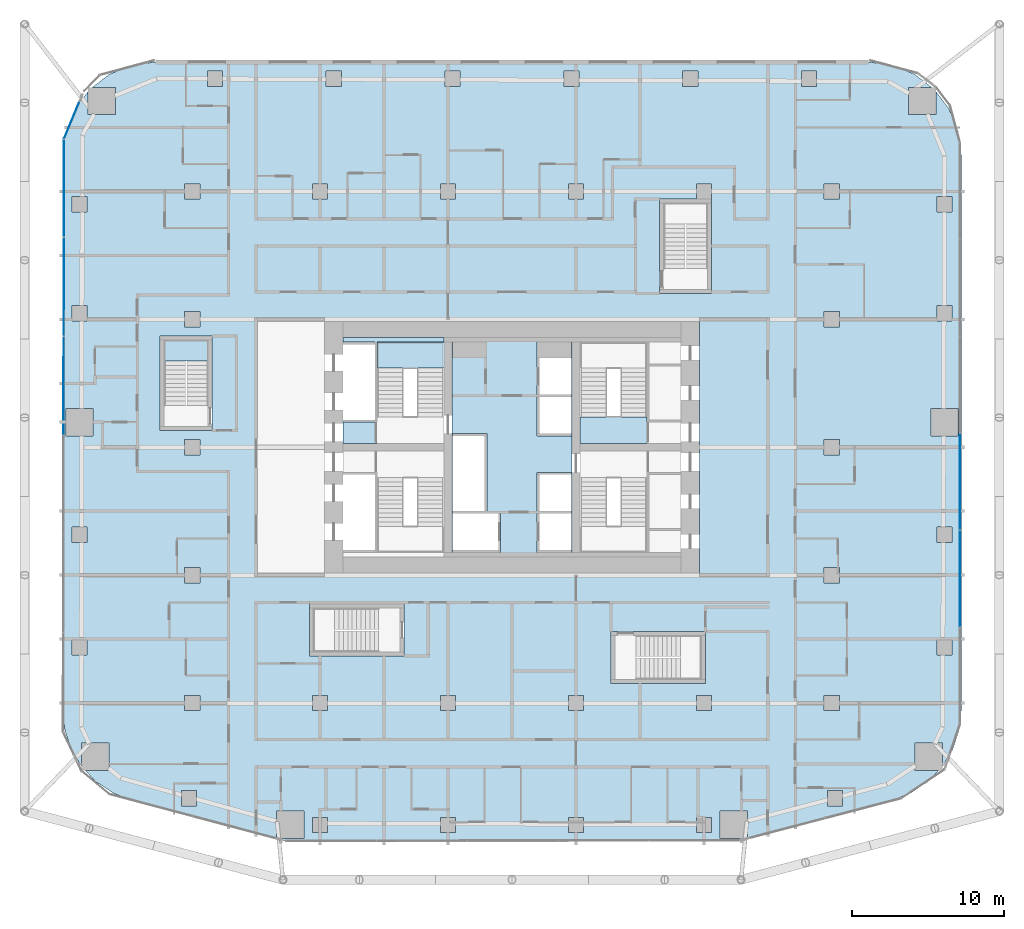
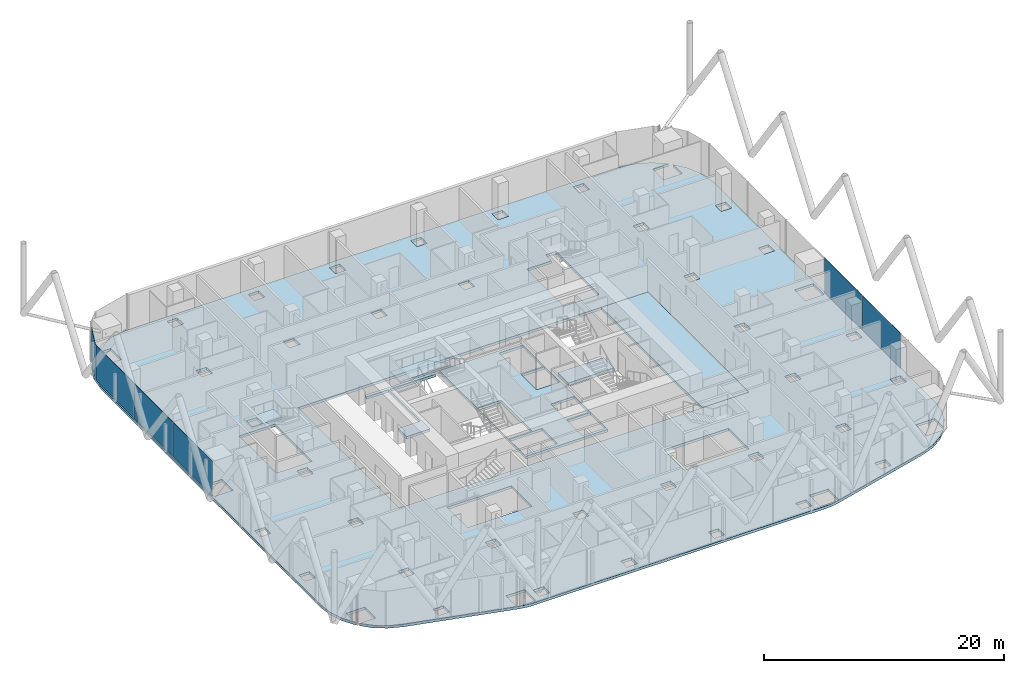
# One storey, part 21 of 35: 7 slabs, 6 plates, 5 elements without a shape of their own.
"""IFC4 building model written with IfcOpenShell, lengths in metres."""

from ifc_helpers import new_model, si_unit, direction, frame, origin, origin_2d, place, context, subcontext, project, spatial, polyline, rectangle, outline, extrude, material, layer, layer_set, type_object, element, aggregate, save


model = new_model("IFC4")

# Units and contexts
model_context = context("Model", 3, precision=1e-05, world=origin(), true_north=direction((0.0, 1.0)))
body_context = subcontext(model_context, "Body", "Model", "MODEL_VIEW")
ifc_project = project(units=[si_unit("LENGTHUNIT", "METRE"), si_unit("AREAUNIT", "SQUARE_METRE"), si_unit("VOLUMEUNIT", "CUBIC_METRE"), si_unit("PLANEANGLEUNIT", "RADIAN"), si_unit("MASSUNIT", "GRAM", prefix="KILO")], contexts=[model_context])

# Site, building, storey
site_placement = place(None, origin())
site = spatial("IfcSite", under=ifc_project, at=site_placement, CompositionType="ELEMENT")
building_placement = place(site_placement, origin())
building = spatial("IfcBuilding", under=site, at=building_placement, Name="Marenta Gate Hotel Tower", CompositionType="ELEMENT")
storey_placement = place(building_placement, frame((0.0, 0.0, 61.699951171875)))
storey = spatial("IfcBuildingStorey", under=building, at=storey_placement, Name="L13", CompositionType="ELEMENT", Elevation=61.699951171875)

# Slabs
ifc_material_1 = material(Name="Concrete C35", Category="concrete")
ifc_layer_1 = layer(ifc_material_1, 0.260009765625)
ifc_layer_set_1 = layer_set([ifc_layer_1], Name="Concrete C35")
slab_type_1 = type_object("IfcSlabType", Name="Concrete floor slab 260", PredefinedType="FLOOR", material=ifc_layer_set_1)
slab_1_placement = place(storey_placement, frame((0.0, 0.0, -0.260009765625)))
element("IfcSlab", 1, at=slab_1_placement, inside=storey, type_object=slab_type_1, Name="L13-SL-1", PredefinedType="FLOOR", context=body_context, shape_type="SweptSolid", body=[
    extrude(outline(polyline([(-27.313720703125, -13.56396484375), (-28.015625, -12.8330078125), (-26.462890625, -12.8330078125), (-26.462890625, -11.032958984375), (-28.262939453125, -11.032958984375), (-28.262939453125, -12.55859375), (-28.927001953125, -11.467041015625), (-29.35546875, -10.20703125), (-29.5, -8.889892578125), (-29.5, 27.6064453125), (-29.29296875, 29.178955078125), (-28.68359375, 30.650390625), (-27.83544921875, 31.755615234375), (-27.83544921875, 30.235595703125), (-26.035400390625, 30.235595703125), (-26.035400390625, 32.035400390625), (-27.555419921875, 32.035400390625), (-26.450439453125, 32.883544921875), (-24.97900390625, 33.492919921875), (-23.406494140625, 33.699951171875), (23.406494140625, 33.699951171875), (24.97900390625, 33.492919921875), (26.450439453125, 32.883544921875), (27.555419921875, 32.035400390625), (26.035400390625, 32.035400390625), (26.035400390625, 30.235595703125), (27.83544921875, 30.235595703125), (27.83544921875, 31.755615234375), (28.68359375, 30.650390625), (29.29296875, 29.178955078125), (29.5, 27.6064453125), (29.5, -8.889892578125), (29.35546875, -10.20703125), (28.927001953125, -11.467041015625), (28.262939453125, -12.55859375), (28.262939453125, -11.032958984375), (26.462890625, -11.032958984375), (26.462890625, -12.8330078125), (28.015625, -12.8330078125), (27.313720703125, -13.56396484375), (26.205810546875, -14.30126953125), (24.969482421875, -14.77880859375), (15.2265625, -17.36376953125), (14.70849609375, -17.4658203125), (14.181640625, -17.5), (-14.181640625, -17.5), (-14.70849609375, -17.4658203125), (-15.2265625, -17.36376953125), (-24.969482421875, -14.77880859375), (-26.205810546875, -14.30126953125), (-27.313720703125, -13.56396484375)]), holes=[polyline([(-16.800048828125, 0.0), (16.800048828125, 0.0), (16.800048828125, 16.800048828125), (-16.800048828125, 16.800048828125), (-16.800048828125, 0.0)]), polyline([(-13.666259765625, -15.474853515625), (-15.46630859375, -15.474853515625), (-15.46630859375, -17.27490234375), (-13.666259765625, -17.27490234375), (-13.666259765625, -15.474853515625)]), polyline([(-20.706787109375, -14.13916015625), (-21.706787109375, -14.13916015625), (-21.706787109375, -15.13916015625), (-20.706787109375, -15.13916015625), (-20.706787109375, -14.13916015625)]), polyline([(-20.5, -8.89990234375), (-20.5, -7.89990234375), (-21.5, -7.89990234375), (-21.5, -8.89990234375), (-20.5, -8.89990234375)]), polyline([(-12.10009765625, -8.89990234375), (-12.10009765625, -7.89990234375), (-13.10009765625, -7.89990234375), (-13.10009765625, -8.89990234375), (-12.10009765625, -8.89990234375)]), polyline([(-27.89990234375, -4.251953125), (-28.89990234375, -4.251953125), (-28.89990234375, -5.251953125), (-27.89990234375, -5.251953125), (-27.89990234375, -4.251953125)]), polyline([(-20.5, -0.5), (-20.5, 0.5), (-21.5, 0.5), (-21.5, -0.5), (-20.5, -0.5)]), polyline([(-27.89990234375, 2.149169921875), (-27.89990234375, 3.149169921875), (-28.89990234375, 3.149169921875), (-28.89990234375, 2.149169921875), (-27.89990234375, 2.149169921875)]), polyline([(-20.5, 8.89990234375), (-21.5, 8.89990234375), (-21.5, 7.89990234375), (-20.5, 7.89990234375), (-20.5, 8.89990234375)]), polyline([(-27.5, 9.14990234375), (-27.5, 10.949951171875), (-29.300048828125, 10.949951171875), (-29.300048828125, 9.14990234375), (-27.5, 9.14990234375)]), polyline([(-20.5, 16.300048828125), (-20.5, 17.300048828125), (-21.5, 17.300048828125), (-21.5, 16.300048828125), (-20.5, 16.300048828125)]), polyline([(-27.89990234375, 17.703125), (-28.89990234375, 17.703125), (-28.89990234375, 16.703125), (-27.89990234375, 16.703125), (-27.89990234375, 17.703125)]), polyline([(-27.89990234375, 23.8564453125), (-27.89990234375, 24.8564453125), (-28.89990234375, 24.8564453125), (-28.89990234375, 23.8564453125), (-27.89990234375, 23.8564453125)]), polyline([(-20.5, 24.699951171875), (-20.5, 25.699951171875), (-21.5, 25.699951171875), (-21.5, 24.699951171875), (-20.5, 24.699951171875)]), polyline([(-19.0068359375, 32.10009765625), (-19.0068359375, 33.10009765625), (-20.0068359375, 33.10009765625), (-20.0068359375, 32.10009765625), (-19.0068359375, 32.10009765625)]), polyline([(-12.10009765625, -16.89990234375), (-12.10009765625, -15.89990234375), (-13.10009765625, -15.89990234375), (-13.10009765625, -16.89990234375), (-12.10009765625, -16.89990234375)]), polyline([(-3.699951171875, -15.89990234375), (-4.699951171875, -15.89990234375), (-4.699951171875, -16.89990234375), (-3.699951171875, -16.89990234375), (-3.699951171875, -15.89990234375)]), polyline([(4.699951171875, -16.89990234375), (4.699951171875, -15.89990234375), (3.699951171875, -15.89990234375), (3.699951171875, -16.89990234375), (4.699951171875, -16.89990234375)]), polyline([(13.10009765625, -16.89990234375), (13.10009765625, -15.89990234375), (12.10009765625, -15.89990234375), (12.10009765625, -16.89990234375), (13.10009765625, -16.89990234375)]), polyline([(15.46630859375, -15.474853515625), (13.666259765625, -15.474853515625), (13.666259765625, -17.27490234375), (15.46630859375, -17.27490234375), (15.46630859375, -15.474853515625)]), polyline([(-3.699951171875, -8.89990234375), (-3.699951171875, -7.89990234375), (-4.699951171875, -7.89990234375), (-4.699951171875, -8.89990234375), (-3.699951171875, -8.89990234375)]), polyline([(4.699951171875, -8.89990234375), (4.699951171875, -7.89990234375), (3.699951171875, -7.89990234375), (3.699951171875, -8.89990234375), (4.699951171875, -8.89990234375)]), polyline([(13.10009765625, -7.89990234375), (12.10009765625, -7.89990234375), (12.10009765625, -8.89990234375), (13.10009765625, -8.89990234375), (13.10009765625, -7.89990234375)]), polyline([(-12.10009765625, 25.699951171875), (-13.10009765625, 25.699951171875), (-13.10009765625, 24.699951171875), (-12.10009765625, 24.699951171875), (-12.10009765625, 25.699951171875)]), polyline([(-3.699951171875, 25.699951171875), (-4.699951171875, 25.699951171875), (-4.699951171875, 24.699951171875), (-3.699951171875, 24.699951171875), (-3.699951171875, 25.699951171875)]), polyline([(4.699951171875, 24.699951171875), (4.699951171875, 25.699951171875), (3.699951171875, 25.699951171875), (3.699951171875, 24.699951171875), (4.699951171875, 24.699951171875)]), polyline([(13.10009765625, 25.699951171875), (12.10009765625, 25.699951171875), (12.10009765625, 24.699951171875), (9.699951171875, 24.699951171875), (9.699951171875, 18.5), (13.10009765625, 18.5), (13.10009765625, 25.699951171875)]), polyline([(-11.2041015625, 33.10009765625), (-12.2041015625, 33.10009765625), (-12.2041015625, 32.10009765625), (-11.2041015625, 32.10009765625), (-11.2041015625, 33.10009765625)]), polyline([(-3.4013671875, 32.10009765625), (-3.4013671875, 33.10009765625), (-4.4013671875, 33.10009765625), (-4.4013671875, 32.10009765625), (-3.4013671875, 32.10009765625)]), polyline([(4.4013671875, 32.10009765625), (4.4013671875, 33.10009765625), (3.4013671875, 33.10009765625), (3.4013671875, 32.10009765625), (4.4013671875, 32.10009765625)]), polyline([(12.2041015625, 33.10009765625), (11.2041015625, 33.10009765625), (11.2041015625, 32.10009765625), (12.2041015625, 32.10009765625), (12.2041015625, 33.10009765625)]), polyline([(21.706787109375, -15.13916015625), (21.706787109375, -14.13916015625), (20.706787109375, -14.13916015625), (20.706787109375, -15.13916015625), (21.706787109375, -15.13916015625)]), polyline([(21.5, -7.89990234375), (20.5, -7.89990234375), (20.5, -8.89990234375), (21.5, -8.89990234375), (21.5, -7.89990234375)]), polyline([(28.89990234375, -5.251953125), (28.89990234375, -4.251953125), (27.89990234375, -4.251953125), (27.89990234375, -5.251953125), (28.89990234375, -5.251953125)]), polyline([(21.5, -0.5), (21.5, 0.5), (20.5, 0.5), (20.5, -0.5), (21.5, -0.5)]), polyline([(28.89990234375, 3.149169921875), (27.89990234375, 3.149169921875), (27.89990234375, 2.149169921875), (28.89990234375, 2.149169921875), (28.89990234375, 3.149169921875)]), polyline([(21.5, 7.89990234375), (21.5, 8.89990234375), (20.5, 8.89990234375), (20.5, 7.89990234375), (21.5, 7.89990234375)]), polyline([(29.300048828125, 9.14990234375), (29.300048828125, 10.949951171875), (27.5, 10.949951171875), (27.5, 9.14990234375), (29.300048828125, 9.14990234375)]), polyline([(21.5, 17.300048828125), (20.5, 17.300048828125), (20.5, 16.300048828125), (21.5, 16.300048828125), (21.5, 17.300048828125)]), polyline([(28.89990234375, 16.703125), (28.89990234375, 17.703125), (27.89990234375, 17.703125), (27.89990234375, 16.703125), (28.89990234375, 16.703125)]), polyline([(28.89990234375, 23.8564453125), (28.89990234375, 24.8564453125), (27.89990234375, 24.8564453125), (27.89990234375, 23.8564453125), (28.89990234375, 23.8564453125)]), polyline([(21.5, 25.699951171875), (20.5, 25.699951171875), (20.5, 24.699951171875), (21.5, 24.699951171875), (21.5, 25.699951171875)]), polyline([(20.0068359375, 32.10009765625), (20.0068359375, 33.10009765625), (19.0068359375, 33.10009765625), (19.0068359375, 32.10009765625), (20.0068359375, 32.10009765625)]), polyline([(6.5, -7.10009765625), (12.699951171875, -7.10009765625), (12.699951171875, -3.699951171875), (6.5, -3.699951171875), (6.5, -7.10009765625)]), polyline([(-13.300048828125, -5.300048828125), (-7.10009765625, -5.300048828125), (-7.10009765625, -1.89990234375), (-13.300048828125, -1.89990234375), (-13.300048828125, -5.300048828125)]), polyline([(-23.10009765625, 9.5), (-19.699951171875, 9.5), (-19.699951171875, 15.699951171875), (-23.10009765625, 15.699951171875), (-23.10009765625, 9.5)])]), origin(), (0.0, 0.0, 1.0), 0.260009765625),
])
ifc_material_2 = material(Name="Concrete C40", Category="concrete")
ifc_layer_2 = layer(ifc_material_2, 0.260009765625)
ifc_layer_set_2 = layer_set([ifc_layer_2], Name="Concrete C40")
slab_type_2 = type_object("IfcSlabType", Name="Core floor slab 260", PredefinedType="FLOOR", material=ifc_layer_set_2)
slab_2_placement = place(storey_placement, frame((0.0, 0.0, -0.260009765625)))
element("IfcSlab", 2, at=slab_2_placement, inside=storey, type_object=slab_type_2, Name="L13-CF-1", PredefinedType="FLOOR", context=body_context, shape_type="SweptSolid", body=[
    extrude(outline(polyline([(12.300048828125, 0.0), (12.300048828125, 16.800048828125), (16.800048828125, 16.800048828125), (16.800048828125, 0.0), (12.300048828125, 0.0)])), origin(), (0.0, 0.0, 1.0), 0.260009765625),
])
slab_3_placement = place(storey_placement, frame((0.0, 0.0, -0.260009765625)))
element("IfcSlab", 3, at=slab_3_placement, inside=storey, type_object=slab_type_2, Name="L13-CF-4", PredefinedType="FLOOR", context=body_context, shape_type="SweptSolid", body=[
    extrude(outline(polyline([(3.949951171875, 15.300048828125), (3.949951171875, 10.39990234375), (3.949951171875, 6.39990234375), (3.949951171875, 1.5), (3.949951171875, 1.199951171875), (-3.949951171875, 1.199951171875), (-3.949951171875, 1.5), (-3.949951171875, 6.39990234375), (-3.949951171875, 10.39990234375), (-3.949951171875, 15.300048828125), (-3.949951171875, 15.60009765625), (3.949951171875, 15.60009765625), (3.949951171875, 15.300048828125)]), holes=[polyline([(1.64990234375, 4.050048828125), (1.64990234375, 1.64990234375), (1.64990234375, 1.5), (3.89990234375, 1.5), (3.89990234375, 1.64990234375), (3.89990234375, 4.050048828125), (1.800048828125, 4.050048828125), (1.64990234375, 4.050048828125)]), polyline([(1.64990234375, 9.14990234375), (3.89990234375, 9.14990234375), (3.89990234375, 9.300048828125), (3.89990234375, 11.699951171875), (1.800048828125, 11.699951171875), (1.64990234375, 11.699951171875), (1.64990234375, 9.300048828125), (1.64990234375, 9.14990234375)]), polyline([(1.64990234375, 11.85009765625), (1.800048828125, 11.85009765625), (3.89990234375, 11.85009765625), (3.89990234375, 14.25), (3.89990234375, 15.300048828125), (1.64990234375, 15.300048828125), (1.64990234375, 14.25), (1.64990234375, 11.85009765625)]), polyline([(3.89990234375, 6.60009765625), (3.89990234375, 6.75), (1.64990234375, 6.75), (1.64990234375, 6.60009765625), (1.64990234375, 4.199951171875), (1.800048828125, 4.199951171875), (3.89990234375, 4.199951171875), (3.89990234375, 6.60009765625)]), polyline([(-3.89990234375, 1.5), (-0.89990234375, 1.5), (-0.75, 1.5), (-0.75, 4.050048828125), (-0.89990234375, 4.050048828125), (-3.89990234375, 4.050048828125), (-3.89990234375, 1.64990234375), (-3.89990234375, 1.5)]), polyline([(-1.64990234375, 4.199951171875), (-1.64990234375, 9.14990234375), (-1.64990234375, 9.300048828125), (-3.89990234375, 9.300048828125), (-3.89990234375, 9.14990234375), (-3.89990234375, 6.75), (-3.89990234375, 6.60009765625), (-3.89990234375, 4.199951171875), (-1.800048828125, 4.199951171875), (-1.64990234375, 4.199951171875)])]), origin(), (0.0, 0.0, 1.0), 0.260009765625),
])
slab_4_placement = place(storey_placement, frame((0.0, 0.0, -0.260009765625)))
element("IfcSlab", 4, at=slab_4_placement, inside=storey, type_object=slab_type_2, Name="L13-CF-6", PredefinedType="FLOOR", context=body_context, shape_type="SweptSolid", body=[
    extrude(outline(polyline([(-4.449951171875, 15.300048828125), (-8.85009765625, 15.300048828125), (-8.85009765625, 10.39990234375), (-8.85009765625, 8.699951171875), (-8.85009765625, 8.64990234375), (-11.10009765625, 8.64990234375), (-11.10009765625, 10.050048828125), (-9.0, 10.050048828125), (-9.0, 10.199951171875), (-9.0, 12.60009765625), (-9.0, 12.75), (-9.0, 15.14990234375), (-9.0, 15.300048828125), (-11.10009765625, 15.300048828125), (-11.10009765625, 15.60009765625), (-4.449951171875, 15.60009765625), (-4.449951171875, 15.300048828125)])), origin(), (0.0, 0.0, 1.0), 0.260009765625),
])

# Stair, slab
ifc_material_3 = material(Name="Concrete C40", Category="concrete")
stair_type_1 = type_object("IfcStairType", Name="Core exit stair 1700 wide", PredefinedType="HALF_TURN_STAIR", material=ifc_material_3)
stair_1_placement = place(storey_placement, origin())
stair_1 = element("IfcStair", 5, at=stair_1_placement, inside=storey, type_object=stair_type_1, Name="Exit stair 2", PredefinedType="HALF_TURN_STAIR")
ifc_material_4 = material(Name="Concrete C40", Category="concrete")
ifc_layer_3 = layer(ifc_material_4, 0.199951171875)
ifc_layer_set_3 = layer_set([ifc_layer_3], Name="Concrete C40")
slab_type_3 = type_object("IfcSlabType", Name="Core stair landing 200", PredefinedType="LANDING", material=ifc_layer_set_3)
slab_5_placement = place(storey_placement, frame((0.0, 0.0, 1.60009765625)))
slab_5 = element("IfcSlab", 6, at=slab_5_placement, type_object=slab_type_3, Name="SL-200 ST2 landing 1", PredefinedType="LANDING", context=body_context, shape_type="SweptSolid", body=[
    extrude(outline(polyline([(-8.85009765625, 13.590087890625), (-3.949951171875, 13.590087890625), (-3.949951171875, 15.300048828125), (-8.85009765625, 15.300048828125), (-8.85009765625, 13.590087890625)])), origin(), (0.0, 0.0, 1.0), 0.199951171875),
])
aggregate(stair_1, [slab_5])

# Curtain wall, plate
ifc_material_5 = material(Name="Tinted insulated glass in bronze anodised frame", Category="glass")
ifc_layer_4 = layer(ifc_material_5, 0.1201171875)
ifc_layer_set_4 = layer_set([ifc_layer_4], Name="Tinted insulated glass in bronze anodised frame")
curtain_wall_type = type_object("IfcCurtainWallType", Name="Tower unitised curtain wall CW1", PredefinedType="NOTDEFINED", material=ifc_layer_set_4)
curtain_wall_1_placement = place(storey_placement, origin())
curtain_wall_1 = element("IfcCurtainWall", 7, at=curtain_wall_1_placement, inside=storey, type_object=curtain_wall_type, Name="CW1 run G03", PredefinedType="NOTDEFINED")
ifc_material_6 = material(Name="Tinted insulated glass", Category="glass")
ifc_layer_5 = layer(ifc_material_6, 0.028076171875)
ifc_layer_set_5 = layer_set([ifc_layer_5], Name="Tinted insulated glass")
plate_type = type_object("IfcPlateType", Name="Glass panel CW1 28 mm tinted insulated unit", PredefinedType="CURTAIN_PANEL", material=ifc_layer_set_5)
plate_1_placement = place(storey_placement, frame((-28.91064453125, 29.87744140625, 0.06005859375), z_axis=(0.0, 0.0, 1.0), x_axis=(-0.382676683393, -0.923882327998, 0.0)))
plate_1 = element("IfcPlate", 8, at=plate_1_placement, type_object=plate_type, Name="CW1 panel 1.1", PredefinedType="CURTAIN_PANEL", context=body_context, shape_type="SweptSolid", body=[
    extrude(rectangle(XDim=2.622314453125, YDim=0.028076171875, at=origin_2d()), origin(), (0.0, 0.0, 1.0), 3.5400390625),
])
aggregate(curtain_wall_1, [plate_1])

# Curtain wall, plates
curtain_wall_2_placement = place(storey_placement, origin())
curtain_wall_2 = element("IfcCurtainWall", 9, at=curtain_wall_2_placement, inside=storey, type_object=curtain_wall_type, Name="CW1 run G04", PredefinedType="NOTDEFINED")
plate_2_placement = place(storey_placement, frame((-29.41748046875, 25.406005859375, 0.06005859375), z_axis=(0.0, 0.0, 1.0), x_axis=(-0.00156642217, -0.99999877316, 0.0)))
plate_2 = element("IfcPlate", 10, at=plate_2_placement, type_object=plate_type, Name="CW1 panel 1.1", PredefinedType="CURTAIN_PANEL", context=body_context, shape_type="SweptSolid", body=[
    extrude(rectangle(XDim=6.400390625, YDim=0.028076171875, at=origin_2d()), origin(), (0.0, 0.0, 1.0), 3.5400390625),
])
plate_3_placement = place(storey_placement, frame((-29.427490234375, 18.9306640625, 0.06005859375), z_axis=(0.0, 0.0, 1.0), x_axis=(-0.00156642217, -0.99999877316, 0.0)))
plate_3 = element("IfcPlate", 11, at=plate_3_placement, type_object=plate_type, Name="CW1 panel 2.1", PredefinedType="CURTAIN_PANEL", context=body_context, shape_type="SweptSolid", body=[
    extrude(rectangle(XDim=6.430419921875, YDim=0.028076171875, at=origin_2d()), origin(), (0.0, 0.0, 1.0), 3.5400390625),
])
plate_4_placement = place(storey_placement, frame((-29.437744140625, 12.440185546875, 0.06005859375), z_axis=(0.0, 0.0, 1.0), x_axis=(-0.00156642217, -0.99999877316, 0.0)))
plate_4 = element("IfcPlate", 12, at=plate_4_placement, type_object=plate_type, Name="CW1 panel 3.1", PredefinedType="CURTAIN_PANEL", context=body_context, shape_type="SweptSolid", body=[
    extrude(rectangle(XDim=6.430419921875, YDim=0.028076171875, at=origin_2d()), origin(), (0.0, 0.0, 1.0), 3.5400390625),
])
aggregate(curtain_wall_2, [plate_2, plate_3, plate_4])

curtain_wall_3_placement = place(storey_placement, origin())
curtain_wall_3 = element("IfcCurtainWall", 13, at=curtain_wall_3_placement, inside=storey, type_object=curtain_wall_type, Name="CW1 run G18", PredefinedType="NOTDEFINED")
plate_5_placement = place(storey_placement, frame((29.4140625, -0.22802734375, 0.06005859375), z_axis=(0.0, 0.0, 1.0), x_axis=(0.0, 1.0, 0.0)))
plate_5 = element("IfcPlate", 14, at=plate_5_placement, type_object=plate_type, Name="CW1 panel 2.1", PredefinedType="CURTAIN_PANEL", context=body_context, shape_type="SweptSolid", body=[
    extrude(rectangle(XDim=6.300048828125, YDim=0.028076171875, at=origin_2d()), origin(), (0.0, 0.0, 1.0), 3.5400390625),
])
plate_6_placement = place(storey_placement, frame((29.4140625, 6.132080078125, 0.06005859375), z_axis=(0.0, 0.0, 1.0), x_axis=(0.0, 1.0, 0.0)))
plate_6 = element("IfcPlate", 15, at=plate_6_placement, type_object=plate_type, Name="CW1 panel 3.1", PredefinedType="CURTAIN_PANEL", context=body_context, shape_type="SweptSolid", body=[
    extrude(rectangle(XDim=6.300048828125, YDim=0.028076171875, at=origin_2d()), origin(), (0.0, 0.0, 1.0), 3.5400390625),
])
aggregate(curtain_wall_3, [plate_5, plate_6])

# Stair, slab
ifc_material_7 = material(Name="Concrete C40", Category="concrete")
stair_type_2 = type_object("IfcStairType", Name="Remote exit stair 1400 wide", PredefinedType="HALF_TURN_STAIR", material=ifc_material_7)
stair_2_placement = place(storey_placement, origin())
stair_2 = element("IfcStair", 16, at=stair_2_placement, inside=storey, type_object=stair_type_2, Name="Exit stair RS-Z1-3", PredefinedType="HALF_TURN_STAIR")
ifc_material_8 = material(Name="Concrete C40", Category="concrete")
ifc_layer_6 = layer(ifc_material_8, 0.199951171875)
ifc_layer_set_6 = layer_set([ifc_layer_6], Name="Concrete C40")
slab_type_4 = type_object("IfcSlabType", Name="Remote stair landing 200", PredefinedType="LANDING", material=ifc_layer_set_6)
slab_6_placement = place(storey_placement, frame((0.0, 0.0, 1.60009765625)))
slab_6 = element("IfcSlab", 17, at=slab_6_placement, type_object=slab_type_4, Name="RL-200 RS-Z1-3 landing 1", PredefinedType="LANDING", context=body_context, shape_type="SweptSolid", body=[
    extrude(outline(polyline([(-22.85009765625, 14.050048828125), (-19.949951171875, 14.050048828125), (-19.949951171875, 15.449951171875), (-22.85009765625, 15.449951171875), (-22.85009765625, 14.050048828125)])), origin(), (0.0, 0.0, 1.0), 0.199951171875),
])
aggregate(stair_2, [slab_6])

# Slab
ifc_material_9 = material(Name="Concrete C40", Category="concrete")
ifc_layer_7 = layer(ifc_material_9, 0.300048828125)
ifc_layer_set_7 = layer_set([ifc_layer_7], Name="Concrete C40")
slab_type_5 = type_object("IfcSlabType", Name="Stair floor landing slab 300", PredefinedType="FLOOR", material=ifc_layer_set_7)
slab_7_placement = place(storey_placement, frame((0.0, 0.0, -0.300048828125)))
element("IfcSlab", 18, at=slab_7_placement, inside=storey, type_object=slab_type_5, Name="L13-CL-ST4-1", PredefinedType="FLOOR", context=body_context, shape_type="SweptSolid", body=[
    extrude(outline(polyline([(4.449951171875, 8.64990234375), (4.449951171875, 10.39990234375), (8.85009765625, 10.39990234375), (8.85009765625, 8.699951171875), (8.85009765625, 8.64990234375), (4.449951171875, 8.64990234375)])), origin(), (0.0, 0.0, 1.0), 0.300048828125),
])

save(model, "model.ifc")
